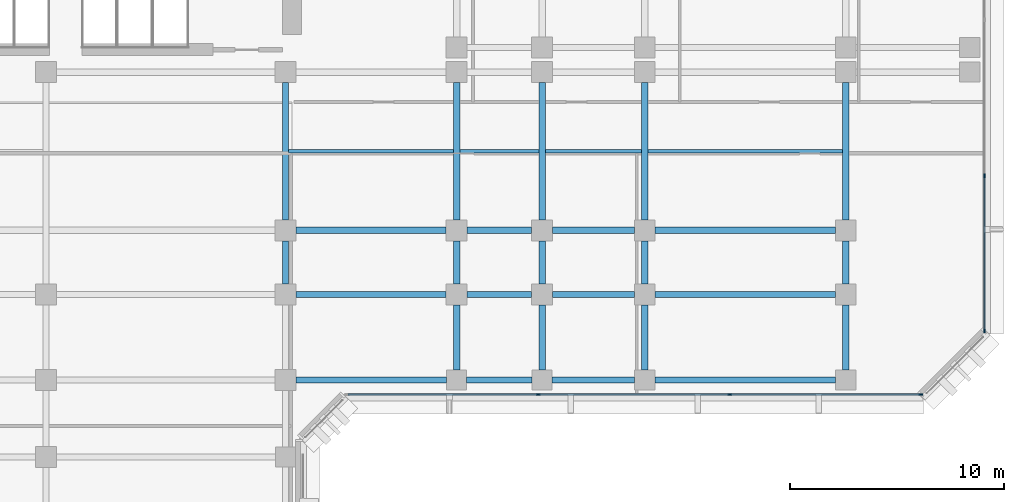
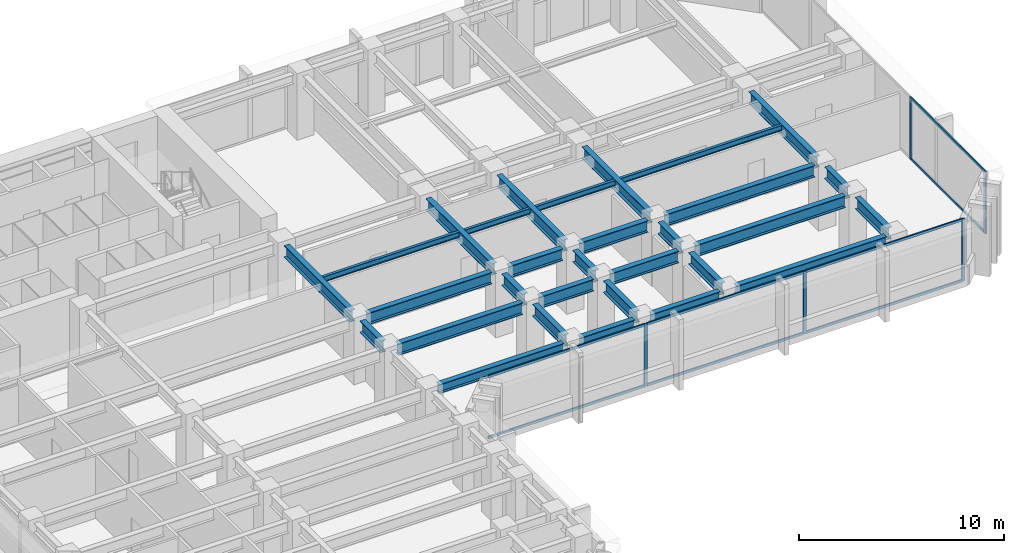
# One storey, part 3 of 14: 30 beams, 13 members, 2 elements without a shape of their own.
"""IFC4 building model written with IfcOpenShell, lengths in metres."""

from ifc_helpers import new_model, si_unit, direction, frame, origin, origin_2d, place, context, subcontext, project, spatial, rectangle, i_section, extrude, material, layer, layer_set, material_profile, profile_set, type_object, element, aggregate, save


model = new_model("IFC4")

# Units and contexts
model_context = context("Model", 3, precision=1e-05, world=origin(), true_north=direction((0.0, 1.0)))
body_context = subcontext(model_context, "Body", "Model", "MODEL_VIEW")
ifc_project = project(units=[si_unit("LENGTHUNIT", "METRE"), si_unit("AREAUNIT", "SQUARE_METRE"), si_unit("VOLUMEUNIT", "CUBIC_METRE"), si_unit("PLANEANGLEUNIT", "RADIAN"), si_unit("MASSUNIT", "GRAM", prefix="KILO")], contexts=[model_context])

# Site, building, storey
site_placement = place(None, origin())
site = spatial("IfcSite", under=ifc_project, at=site_placement, CompositionType="ELEMENT")
building_placement = place(site_placement, origin())
building = spatial("IfcBuilding", under=site, at=building_placement, Name="Kefirva Bronze Tower", CompositionType="ELEMENT")
storey_placement = place(building_placement, frame((0.0, 0.0, 42.239990234375)))
storey = spatial("IfcBuildingStorey", under=building, at=storey_placement, Name="L09", CompositionType="ELEMENT", Elevation=42.239990234375)

# Curtain wall, members
ifc_material_1 = material(Name="Bronze anodised aluminium", Category="aluminium")
ifc_layer = layer(ifc_material_1, 0.199951171875, Name="Bronze anodised aluminium")
ifc_layer_set = layer_set([ifc_layer], Name="Bronze anodised aluminium")
curtain_wall_type = type_object("IfcCurtainWallType", Name="Unitised Bronze Ribbon Curtain Wall Zone 1", PredefinedType="USERDEFINED", material=ifc_layer_set)
curtain_wall_1_placement = place(storey_placement, origin())
curtain_wall_1 = element("IfcCurtainWall", 1, at=curtain_wall_1_placement, inside=storey, type_object=curtain_wall_type, Name="L09 Curtain Wall 2", ObjectType="UNITISED CURTAIN WALL", PredefinedType="USERDEFINED")
ifc_material_profile_1 = material_profile(ifc_material_1, rectangle(XDim=0.074951171875, YDim=0.179931640625, at=origin_2d()), Name="ALU 75x180")
ifc_profile_set_1 = profile_set([ifc_material_profile_1], Name="Bronze anodised aluminium")
member_type_1 = type_object("IfcMemberType", Name="Bronze Mullion 75x180", PredefinedType="MULLION", material=ifc_profile_set_1)
member_1_placement = place(storey_placement, frame((35.018310546875, 18.1201171875, 0.0), z_axis=(0.0, 0.0, 1.0), x_axis=(0.0, 1.0, 0.0)))
member_1 = element("IfcMember", 2, at=member_1_placement, type_object=member_type_1, Name="CW-01 mullion 2", PredefinedType="MULLION", context=body_context, shape_type="SweptSolid", body=[
    extrude(rectangle(XDim=0.074951171875, YDim=0.179931640625, at=origin_2d()), origin(), (0.0, 0.0, 1.0), 3.7099609375),
])
member_2_placement = place(storey_placement, frame((43.981689453125, 18.1201171875, 0.0), z_axis=(0.0, 0.0, 1.0), x_axis=(0.0, 1.0, 0.0)))
member_2 = element("IfcMember", 3, at=member_2_placement, type_object=member_type_1, Name="CW-01 mullion 3", PredefinedType="MULLION", context=body_context, shape_type="SweptSolid", body=[
    extrude(rectangle(XDim=0.074951171875, YDim=0.179931640625, at=origin_2d()), origin(), (0.0, 0.0, 1.0), 3.7099609375),
])
member_3_placement = place(storey_placement, frame((52.907470703125, 18.1201171875, 0.0), z_axis=(0.0, 0.0, 1.0), x_axis=(0.0, 1.0, 0.0)))
member_3 = element("IfcMember", 4, at=member_3_placement, type_object=member_type_1, Name="CW-01 mullion 4", PredefinedType="MULLION", context=body_context, shape_type="SweptSolid", body=[
    extrude(rectangle(XDim=0.074951171875, YDim=0.179931640625, at=origin_2d()), origin(), (0.0, 0.0, 1.0), 3.7099609375),
])

curtain_wall_2_placement = place(storey_placement, origin())
curtain_wall_2 = element("IfcCurtainWall", 5, at=curtain_wall_2_placement, inside=storey, type_object=curtain_wall_type, Name="L09 Curtain Wall 3", ObjectType="UNITISED CURTAIN WALL", PredefinedType="USERDEFINED")
member_4_placement = place(storey_placement, frame((55.8798828125, 21.092529296875, 0.0), z_axis=(0.0, 0.0, 1.0), x_axis=(-1.0, 0.0, 0.0)))
member_4 = element("IfcMember", 6, at=member_4_placement, type_object=member_type_1, Name="CW-01 mullion 1", PredefinedType="MULLION", context=body_context, shape_type="SweptSolid", body=[
    extrude(rectangle(XDim=0.074951171875, YDim=0.179931640625, at=origin_2d()), origin(), (0.0, 0.0, 1.0), 3.7099609375),
])
member_5_placement = place(storey_placement, frame((55.8798828125, 28.3515625, 0.0), z_axis=(0.0, 0.0, 1.0), x_axis=(-1.0, 0.0, 0.0)))
member_5 = element("IfcMember", 7, at=member_5_placement, type_object=member_type_1, Name="CW-01 mullion 2", PredefinedType="MULLION", context=body_context, shape_type="SweptSolid", body=[
    extrude(rectangle(XDim=0.074951171875, YDim=0.179931640625, at=origin_2d()), origin(), (0.0, 0.0, 1.0), 3.7099609375),
])

# Member
ifc_material_profile_2 = material_profile(ifc_material_1, rectangle(XDim=0.074951171875, YDim=0.14990234375, at=origin_2d()), Name="ALU 75x150")
ifc_profile_set_2 = profile_set([ifc_material_profile_2], Name="Bronze anodised aluminium")
member_type_2 = type_object("IfcMemberType", Name="Bronze Transom 75x150", PredefinedType="USERDEFINED", material=ifc_profile_set_2)
member_6_placement = place(storey_placement, frame((26.1298828125, 18.1201171875, 0.03759765625), z_axis=(1.0, 0.0, 0.0), x_axis=(0.0, 1.0, 0.0)))
member_6 = element("IfcMember", 8, at=member_6_placement, type_object=member_type_2, Name="CW-01 transom 1.1", ObjectType="TRANSOM", PredefinedType="USERDEFINED", context=body_context, shape_type="SweptSolid", body=[
    extrude(rectangle(XDim=0.074951171875, YDim=0.14990234375, at=origin_2d()), origin(), (0.0, 0.0, 1.0), 8.850830078125),
])

member_7_placement = place(storey_placement, frame((26.1298828125, 18.1201171875, 3.672607421875), z_axis=(1.0, 0.0, 0.0), x_axis=(0.0, 1.0, 0.0)))
member_7 = element("IfcMember", 9, at=member_7_placement, type_object=member_type_2, Name="CW-01 transom 1.2", ObjectType="TRANSOM", PredefinedType="USERDEFINED", context=body_context, shape_type="SweptSolid", body=[
    extrude(rectangle(XDim=0.074951171875, YDim=0.14990234375, at=origin_2d()), origin(), (0.0, 0.0, 1.0), 8.850830078125),
])

member_8_placement = place(storey_placement, frame((35.055908203125, 18.1201171875, 0.03759765625), z_axis=(1.0, 0.0, 0.0), x_axis=(0.0, 1.0, 0.0)))
member_8 = element("IfcMember", 10, at=member_8_placement, type_object=member_type_2, Name="CW-01 transom 2.1", ObjectType="TRANSOM", PredefinedType="USERDEFINED", context=body_context, shape_type="SweptSolid", body=[
    extrude(rectangle(XDim=0.074951171875, YDim=0.14990234375, at=origin_2d()), origin(), (0.0, 0.0, 1.0), 8.88818359375),
])

member_9_placement = place(storey_placement, frame((35.055908203125, 18.1201171875, 3.672607421875), z_axis=(1.0, 0.0, 0.0), x_axis=(0.0, 1.0, 0.0)))
member_9 = element("IfcMember", 11, at=member_9_placement, type_object=member_type_2, Name="CW-01 transom 2.2", ObjectType="TRANSOM", PredefinedType="USERDEFINED", context=body_context, shape_type="SweptSolid", body=[
    extrude(rectangle(XDim=0.074951171875, YDim=0.14990234375, at=origin_2d()), origin(), (0.0, 0.0, 1.0), 8.88818359375),
])

member_10_placement = place(storey_placement, frame((44.019287109375, 18.1201171875, 0.03759765625), z_axis=(1.0, 0.0, 0.0), x_axis=(0.0, 1.0, 0.0)))
member_10 = element("IfcMember", 12, at=member_10_placement, type_object=member_type_2, Name="CW-01 transom 3.1", ObjectType="TRANSOM", PredefinedType="USERDEFINED", context=body_context, shape_type="SweptSolid", body=[
    extrude(rectangle(XDim=0.074951171875, YDim=0.14990234375, at=origin_2d()), origin(), (0.0, 0.0, 1.0), 8.850830078125),
])

member_11_placement = place(storey_placement, frame((44.019287109375, 18.1201171875, 3.672607421875), z_axis=(1.0, 0.0, 0.0), x_axis=(0.0, 1.0, 0.0)))
member_11 = element("IfcMember", 13, at=member_11_placement, type_object=member_type_2, Name="CW-01 transom 3.2", ObjectType="TRANSOM", PredefinedType="USERDEFINED", context=body_context, shape_type="SweptSolid", body=[
    extrude(rectangle(XDim=0.074951171875, YDim=0.14990234375, at=origin_2d()), origin(), (0.0, 0.0, 1.0), 8.850830078125),
])

aggregate(curtain_wall_1, [member_1, member_2, member_3, member_6, member_7, member_8, member_9, member_10, member_11])

member_12_placement = place(storey_placement, frame((55.8798828125, 21.1298828125, 0.03759765625), z_axis=(0.0, 1.0, 0.0), x_axis=(-1.0, 0.0, 0.0)))
member_12 = element("IfcMember", 14, at=member_12_placement, type_object=member_type_2, Name="CW-01 transom 1.1", ObjectType="TRANSOM", PredefinedType="USERDEFINED", context=body_context, shape_type="SweptSolid", body=[
    extrude(rectangle(XDim=0.074951171875, YDim=0.14990234375, at=origin_2d()), origin(), (0.0, 0.0, 1.0), 7.184326171875),
])

member_13_placement = place(storey_placement, frame((55.8798828125, 21.1298828125, 3.672607421875), z_axis=(0.0, 1.0, 0.0), x_axis=(-1.0, 0.0, 0.0)))
member_13 = element("IfcMember", 15, at=member_13_placement, type_object=member_type_2, Name="CW-01 transom 1.2", ObjectType="TRANSOM", PredefinedType="USERDEFINED", context=body_context, shape_type="SweptSolid", body=[
    extrude(rectangle(XDim=0.074951171875, YDim=0.14990234375, at=origin_2d()), origin(), (0.0, 0.0, 1.0), 7.184326171875),
])

aggregate(curtain_wall_2, [member_4, member_5, member_12, member_13])

# Beams
ifc_material_2 = material(Name="Steel S355", Category="steel")
ifc_material_profile_3 = material_profile(ifc_material_2, i_section(OverallWidth=0.159912109375, OverallDepth=0.330078125, WebThickness=0.007568359375, FlangeThickness=0.011474609375, at=origin_2d()), Name="IPE 330")
ifc_profile_set_3 = profile_set([ifc_material_profile_3], Name="Steel S355")
beam_type_1 = type_object("IfcBeamType", Name="Steel Floor Joist IPE 330", PredefinedType="JOIST", material=ifc_profile_set_3)
beam_1_placement = place(storey_placement, frame((23.35009765625, 29.5, 3.544921875), z_axis=(1.0, 0.0, 0.0), x_axis=(0.0, 1.0, 0.0)))
element("IfcBeam", 16, at=beam_1_placement, inside=storey, type_object=beam_type_1, Name="L09 JST-L09-23-295", PredefinedType="JOIST", context=body_context, shape_type="SweptSolid", body=[
    extrude(i_section(OverallWidth=0.159912109375, OverallDepth=0.330078125, WebThickness=0.007568359375, FlangeThickness=0.011474609375, at=origin_2d()), origin(), (0.0, 0.0, 1.0), 7.699951171875),
])
beam_2_placement = place(storey_placement, frame((31.35009765625, 29.5, 3.544921875), z_axis=(1.0, 0.0, 0.0), x_axis=(0.0, 1.0, 0.0)))
element("IfcBeam", 17, at=beam_2_placement, inside=storey, type_object=beam_type_1, Name="L09 JST-L09-31-295", PredefinedType="JOIST", context=body_context, shape_type="SweptSolid", body=[
    extrude(i_section(OverallWidth=0.159912109375, OverallDepth=0.330078125, WebThickness=0.007568359375, FlangeThickness=0.011474609375, at=origin_2d()), origin(), (0.0, 0.0, 1.0), 3.699951171875),
])
beam_3_placement = place(storey_placement, frame((35.35009765625, 29.5, 3.544921875), z_axis=(1.0, 0.0, 0.0), x_axis=(0.0, 1.0, 0.0)))
element("IfcBeam", 18, at=beam_3_placement, inside=storey, type_object=beam_type_1, Name="L09 JST-L09-35-295", PredefinedType="JOIST", context=body_context, shape_type="SweptSolid", body=[
    extrude(i_section(OverallWidth=0.159912109375, OverallDepth=0.330078125, WebThickness=0.007568359375, FlangeThickness=0.011474609375, at=origin_2d()), origin(), (0.0, 0.0, 1.0), 4.5),
])
beam_4_placement = place(storey_placement, frame((40.14990234375, 29.5, 3.544921875), z_axis=(1.0, 0.0, 0.0), x_axis=(0.0, 1.0, 0.0)))
element("IfcBeam", 19, at=beam_4_placement, inside=storey, type_object=beam_type_1, Name="L09 JST-L09-40-295", PredefinedType="JOIST", context=body_context, shape_type="SweptSolid", body=[
    extrude(i_section(OverallWidth=0.159912109375, OverallDepth=0.330078125, WebThickness=0.007568359375, FlangeThickness=0.011474609375, at=origin_2d()), origin(), (0.0, 0.0, 1.0), 9.10009765625),
])
ifc_material_profile_4 = material_profile(ifc_material_2, i_section(OverallWidth=0.300048828125, OverallDepth=0.699951171875, WebThickness=0.01708984375, FlangeThickness=0.031982421875, at=origin_2d()), Name="HEB 700")
ifc_profile_set_4 = profile_set([ifc_material_profile_4], Name="Steel S355")
beam_type_2 = type_object("IfcBeamType", Name="Steel Girder HEB 700", PredefinedType="USERDEFINED", material=ifc_profile_set_4)
beam_5_placement = place(storey_placement, frame((23.68994140625, 22.800048828125, 3.360107421875), z_axis=(1.0, 0.0, 0.0), x_axis=(0.0, 1.0, 0.0)))
element("IfcBeam", 20, at=beam_5_placement, inside=storey, type_object=beam_type_2, Name="L09 BM-L09-EW-23-228", ObjectType="GIRDER", PredefinedType="USERDEFINED", context=body_context, shape_type="SweptSolid", body=[
    extrude(i_section(OverallWidth=0.300048828125, OverallDepth=0.699951171875, WebThickness=0.01708984375, FlangeThickness=0.031982421875, at=origin_2d()), origin(), (0.0, 0.0, 1.0), 7.02001953125),
])
beam_6_placement = place(storey_placement, frame((31.68994140625, 22.800048828125, 3.360107421875), z_axis=(1.0, 0.0, 0.0), x_axis=(0.0, 1.0, 0.0)))
element("IfcBeam", 21, at=beam_6_placement, inside=storey, type_object=beam_type_2, Name="L09 BM-L09-EW-31-228", ObjectType="GIRDER", PredefinedType="USERDEFINED", context=body_context, shape_type="SweptSolid", body=[
    extrude(i_section(OverallWidth=0.300048828125, OverallDepth=0.699951171875, WebThickness=0.01708984375, FlangeThickness=0.031982421875, at=origin_2d()), origin(), (0.0, 0.0, 1.0), 3.02001953125),
])
beam_7_placement = place(storey_placement, frame((35.68994140625, 22.800048828125, 3.360107421875), z_axis=(1.0, 0.0, 0.0), x_axis=(0.0, 1.0, 0.0)))
element("IfcBeam", 22, at=beam_7_placement, inside=storey, type_object=beam_type_2, Name="L09 BM-L09-EW-35-228", ObjectType="GIRDER", PredefinedType="USERDEFINED", context=body_context, shape_type="SweptSolid", body=[
    extrude(i_section(OverallWidth=0.300048828125, OverallDepth=0.699951171875, WebThickness=0.01708984375, FlangeThickness=0.031982421875, at=origin_2d()), origin(), (0.0, 0.0, 1.0), 3.820068359375),
])
beam_8_placement = place(storey_placement, frame((40.489990234375, 22.800048828125, 3.360107421875), z_axis=(1.0, 0.0, 0.0), x_axis=(0.0, 1.0, 0.0)))
element("IfcBeam", 23, at=beam_8_placement, inside=storey, type_object=beam_type_2, Name="L09 BM-L09-EW-40-228", ObjectType="GIRDER", PredefinedType="USERDEFINED", context=body_context, shape_type="SweptSolid", body=[
    extrude(i_section(OverallWidth=0.300048828125, OverallDepth=0.699951171875, WebThickness=0.01708984375, FlangeThickness=0.031982421875, at=origin_2d()), origin(), (0.0, 0.0, 1.0), 8.419921875),
])
beam_9_placement = place(storey_placement, frame((23.68994140625, 25.800048828125, 3.360107421875), z_axis=(1.0, 0.0, 0.0), x_axis=(0.0, 1.0, 0.0)))
element("IfcBeam", 24, at=beam_9_placement, inside=storey, type_object=beam_type_2, Name="L09 BM-L09-EW-23-258", ObjectType="GIRDER", PredefinedType="USERDEFINED", context=body_context, shape_type="SweptSolid", body=[
    extrude(i_section(OverallWidth=0.300048828125, OverallDepth=0.699951171875, WebThickness=0.01708984375, FlangeThickness=0.031982421875, at=origin_2d()), origin(), (0.0, 0.0, 1.0), 7.02001953125),
])
beam_10_placement = place(storey_placement, frame((31.68994140625, 25.800048828125, 3.360107421875), z_axis=(1.0, 0.0, 0.0), x_axis=(0.0, 1.0, 0.0)))
element("IfcBeam", 25, at=beam_10_placement, inside=storey, type_object=beam_type_2, Name="L09 BM-L09-EW-31-258", ObjectType="GIRDER", PredefinedType="USERDEFINED", context=body_context, shape_type="SweptSolid", body=[
    extrude(i_section(OverallWidth=0.300048828125, OverallDepth=0.699951171875, WebThickness=0.01708984375, FlangeThickness=0.031982421875, at=origin_2d()), origin(), (0.0, 0.0, 1.0), 3.02001953125),
])
beam_11_placement = place(storey_placement, frame((35.68994140625, 25.800048828125, 3.360107421875), z_axis=(1.0, 0.0, 0.0), x_axis=(0.0, 1.0, 0.0)))
element("IfcBeam", 26, at=beam_11_placement, inside=storey, type_object=beam_type_2, Name="L09 BM-L09-EW-35-258", ObjectType="GIRDER", PredefinedType="USERDEFINED", context=body_context, shape_type="SweptSolid", body=[
    extrude(i_section(OverallWidth=0.300048828125, OverallDepth=0.699951171875, WebThickness=0.01708984375, FlangeThickness=0.031982421875, at=origin_2d()), origin(), (0.0, 0.0, 1.0), 3.820068359375),
])
beam_12_placement = place(storey_placement, frame((40.489990234375, 25.800048828125, 3.360107421875), z_axis=(1.0, 0.0, 0.0), x_axis=(0.0, 1.0, 0.0)))
element("IfcBeam", 27, at=beam_12_placement, inside=storey, type_object=beam_type_2, Name="L09 BM-L09-EW-40-258", ObjectType="GIRDER", PredefinedType="USERDEFINED", context=body_context, shape_type="SweptSolid", body=[
    extrude(i_section(OverallWidth=0.300048828125, OverallDepth=0.699951171875, WebThickness=0.01708984375, FlangeThickness=0.031982421875, at=origin_2d()), origin(), (0.0, 0.0, 1.0), 8.419921875),
])
beam_13_placement = place(storey_placement, frame((23.199951171875, 23.2900390625, 3.360107421875), z_axis=(0.0, 1.0, 0.0), x_axis=(-1.0, 0.0, 0.0)))
element("IfcBeam", 28, at=beam_13_placement, inside=storey, type_object=beam_type_2, Name="L09 BM-L09-NS-232-22", ObjectType="GIRDER", PredefinedType="USERDEFINED", context=body_context, shape_type="SweptSolid", body=[
    extrude(i_section(OverallWidth=0.300048828125, OverallDepth=0.699951171875, WebThickness=0.01708984375, FlangeThickness=0.031982421875, at=origin_2d()), origin(), (0.0, 0.0, 1.0), 2.02001953125),
])
beam_14_placement = place(storey_placement, frame((23.199951171875, 26.2900390625, 3.360107421875), z_axis=(0.0, 1.0, 0.0), x_axis=(-1.0, 0.0, 0.0)))
element("IfcBeam", 29, at=beam_14_placement, inside=storey, type_object=beam_type_2, Name="L09 BM-L09-NS-232-25", ObjectType="GIRDER", PredefinedType="USERDEFINED", context=body_context, shape_type="SweptSolid", body=[
    extrude(i_section(OverallWidth=0.300048828125, OverallDepth=0.699951171875, WebThickness=0.01708984375, FlangeThickness=0.031982421875, at=origin_2d()), origin(), (0.0, 0.0, 1.0), 6.419921875),
])
beam_15_placement = place(storey_placement, frame((31.199951171875, 19.27001953125, 3.360107421875), z_axis=(0.0, 1.0, 0.0), x_axis=(-1.0, 0.0, 0.0)))
element("IfcBeam", 30, at=beam_15_placement, inside=storey, type_object=beam_type_2, Name="L09 BM-L09-NS-312-18", ObjectType="GIRDER", PredefinedType="USERDEFINED", context=body_context, shape_type="SweptSolid", body=[
    extrude(i_section(OverallWidth=0.300048828125, OverallDepth=0.699951171875, WebThickness=0.01708984375, FlangeThickness=0.031982421875, at=origin_2d()), origin(), (0.0, 0.0, 1.0), 3.0400390625),
])
beam_16_placement = place(storey_placement, frame((31.199951171875, 23.2900390625, 3.360107421875), z_axis=(0.0, 1.0, 0.0), x_axis=(-1.0, 0.0, 0.0)))
element("IfcBeam", 31, at=beam_16_placement, inside=storey, type_object=beam_type_2, Name="L09 BM-L09-NS-312-22", ObjectType="GIRDER", PredefinedType="USERDEFINED", context=body_context, shape_type="SweptSolid", body=[
    extrude(i_section(OverallWidth=0.300048828125, OverallDepth=0.699951171875, WebThickness=0.01708984375, FlangeThickness=0.031982421875, at=origin_2d()), origin(), (0.0, 0.0, 1.0), 2.02001953125),
])
beam_17_placement = place(storey_placement, frame((31.199951171875, 26.2900390625, 3.360107421875), z_axis=(0.0, 1.0, 0.0), x_axis=(-1.0, 0.0, 0.0)))
element("IfcBeam", 32, at=beam_17_placement, inside=storey, type_object=beam_type_2, Name="L09 BM-L09-NS-312-25", ObjectType="GIRDER", PredefinedType="USERDEFINED", context=body_context, shape_type="SweptSolid", body=[
    extrude(i_section(OverallWidth=0.300048828125, OverallDepth=0.699951171875, WebThickness=0.01708984375, FlangeThickness=0.031982421875, at=origin_2d()), origin(), (0.0, 0.0, 1.0), 6.419921875),
])
beam_18_placement = place(storey_placement, frame((35.199951171875, 19.27001953125, 3.360107421875), z_axis=(0.0, 1.0, 0.0), x_axis=(-1.0, 0.0, 0.0)))
element("IfcBeam", 33, at=beam_18_placement, inside=storey, type_object=beam_type_2, Name="L09 BM-L09-NS-352-18", ObjectType="GIRDER", PredefinedType="USERDEFINED", context=body_context, shape_type="SweptSolid", body=[
    extrude(i_section(OverallWidth=0.300048828125, OverallDepth=0.699951171875, WebThickness=0.01708984375, FlangeThickness=0.031982421875, at=origin_2d()), origin(), (0.0, 0.0, 1.0), 3.0400390625),
])
beam_19_placement = place(storey_placement, frame((35.199951171875, 23.2900390625, 3.360107421875), z_axis=(0.0, 1.0, 0.0), x_axis=(-1.0, 0.0, 0.0)))
element("IfcBeam", 34, at=beam_19_placement, inside=storey, type_object=beam_type_2, Name="L09 BM-L09-NS-352-22", ObjectType="GIRDER", PredefinedType="USERDEFINED", context=body_context, shape_type="SweptSolid", body=[
    extrude(i_section(OverallWidth=0.300048828125, OverallDepth=0.699951171875, WebThickness=0.01708984375, FlangeThickness=0.031982421875, at=origin_2d()), origin(), (0.0, 0.0, 1.0), 2.02001953125),
])
beam_20_placement = place(storey_placement, frame((35.199951171875, 26.2900390625, 3.360107421875), z_axis=(0.0, 1.0, 0.0), x_axis=(-1.0, 0.0, 0.0)))
element("IfcBeam", 35, at=beam_20_placement, inside=storey, type_object=beam_type_2, Name="L09 BM-L09-NS-352-25", ObjectType="GIRDER", PredefinedType="USERDEFINED", context=body_context, shape_type="SweptSolid", body=[
    extrude(i_section(OverallWidth=0.300048828125, OverallDepth=0.699951171875, WebThickness=0.01708984375, FlangeThickness=0.031982421875, at=origin_2d()), origin(), (0.0, 0.0, 1.0), 6.419921875),
])
beam_21_placement = place(storey_placement, frame((40.0, 19.27001953125, 3.360107421875), z_axis=(0.0, 1.0, 0.0), x_axis=(-1.0, 0.0, 0.0)))
element("IfcBeam", 36, at=beam_21_placement, inside=storey, type_object=beam_type_2, Name="L09 BM-L09-NS-400-18", ObjectType="GIRDER", PredefinedType="USERDEFINED", context=body_context, shape_type="SweptSolid", body=[
    extrude(i_section(OverallWidth=0.300048828125, OverallDepth=0.699951171875, WebThickness=0.01708984375, FlangeThickness=0.031982421875, at=origin_2d()), origin(), (0.0, 0.0, 1.0), 3.0400390625),
])
beam_22_placement = place(storey_placement, frame((40.0, 23.2900390625, 3.360107421875), z_axis=(0.0, 1.0, 0.0), x_axis=(-1.0, 0.0, 0.0)))
element("IfcBeam", 37, at=beam_22_placement, inside=storey, type_object=beam_type_2, Name="L09 BM-L09-NS-400-22", ObjectType="GIRDER", PredefinedType="USERDEFINED", context=body_context, shape_type="SweptSolid", body=[
    extrude(i_section(OverallWidth=0.300048828125, OverallDepth=0.699951171875, WebThickness=0.01708984375, FlangeThickness=0.031982421875, at=origin_2d()), origin(), (0.0, 0.0, 1.0), 2.02001953125),
])
beam_23_placement = place(storey_placement, frame((40.0, 26.2900390625, 3.360107421875), z_axis=(0.0, 1.0, 0.0), x_axis=(-1.0, 0.0, 0.0)))
element("IfcBeam", 38, at=beam_23_placement, inside=storey, type_object=beam_type_2, Name="L09 BM-L09-NS-400-25", ObjectType="GIRDER", PredefinedType="USERDEFINED", context=body_context, shape_type="SweptSolid", body=[
    extrude(i_section(OverallWidth=0.300048828125, OverallDepth=0.699951171875, WebThickness=0.01708984375, FlangeThickness=0.031982421875, at=origin_2d()), origin(), (0.0, 0.0, 1.0), 6.419921875),
])
beam_24_placement = place(storey_placement, frame((49.39990234375, 19.27001953125, 3.360107421875), z_axis=(0.0, 1.0, 0.0), x_axis=(-1.0, 0.0, 0.0)))
element("IfcBeam", 39, at=beam_24_placement, inside=storey, type_object=beam_type_2, Name="L09 BM-L09-NS-494-18", ObjectType="GIRDER", PredefinedType="USERDEFINED", context=body_context, shape_type="SweptSolid", body=[
    extrude(i_section(OverallWidth=0.300048828125, OverallDepth=0.699951171875, WebThickness=0.01708984375, FlangeThickness=0.031982421875, at=origin_2d()), origin(), (0.0, 0.0, 1.0), 3.0400390625),
])
beam_25_placement = place(storey_placement, frame((49.39990234375, 23.2900390625, 3.360107421875), z_axis=(0.0, 1.0, 0.0), x_axis=(-1.0, 0.0, 0.0)))
element("IfcBeam", 40, at=beam_25_placement, inside=storey, type_object=beam_type_2, Name="L09 BM-L09-NS-494-22", ObjectType="GIRDER", PredefinedType="USERDEFINED", context=body_context, shape_type="SweptSolid", body=[
    extrude(i_section(OverallWidth=0.300048828125, OverallDepth=0.699951171875, WebThickness=0.01708984375, FlangeThickness=0.031982421875, at=origin_2d()), origin(), (0.0, 0.0, 1.0), 2.02001953125),
])
beam_26_placement = place(storey_placement, frame((49.39990234375, 26.2900390625, 3.360107421875), z_axis=(0.0, 1.0, 0.0), x_axis=(-1.0, 0.0, 0.0)))
element("IfcBeam", 41, at=beam_26_placement, inside=storey, type_object=beam_type_2, Name="L09 BM-L09-NS-494-25", ObjectType="GIRDER", PredefinedType="USERDEFINED", context=body_context, shape_type="SweptSolid", body=[
    extrude(i_section(OverallWidth=0.300048828125, OverallDepth=0.699951171875, WebThickness=0.01708984375, FlangeThickness=0.031982421875, at=origin_2d()), origin(), (0.0, 0.0, 1.0), 6.419921875),
])
ifc_material_profile_5 = material_profile(ifc_material_2, i_section(OverallWidth=0.300048828125, OverallDepth=0.550048828125, WebThickness=0.014892578125, FlangeThickness=0.029052734375, at=origin_2d()), Name="HEB 550")
ifc_profile_set_5 = profile_set([ifc_material_profile_5], Name="Steel S355")
beam_type_3 = type_object("IfcBeamType", Name="Steel Spandrel HEB 550 Ext", PredefinedType="SPANDREL", material=ifc_profile_set_5)
beam_27_placement = place(storey_placement, frame((23.68994140625, 18.800048828125, 3.43505859375), z_axis=(1.0, 0.0, 0.0), x_axis=(0.0, 1.0, 0.0)))
element("IfcBeam", 42, at=beam_27_placement, inside=storey, type_object=beam_type_3, Name="L09 BM-L09-EW-23-188", PredefinedType="SPANDREL", context=body_context, shape_type="SweptSolid", body=[
    extrude(i_section(OverallWidth=0.300048828125, OverallDepth=0.550048828125, WebThickness=0.014892578125, FlangeThickness=0.029052734375, at=origin_2d()), origin(), (0.0, 0.0, 1.0), 7.0400390625),
])
beam_28_placement = place(storey_placement, frame((31.669921875, 18.800048828125, 3.43505859375), z_axis=(1.0, 0.0, 0.0), x_axis=(0.0, 1.0, 0.0)))
element("IfcBeam", 43, at=beam_28_placement, inside=storey, type_object=beam_type_3, Name="L09 BM-L09-EW-31-188", PredefinedType="SPANDREL", context=body_context, shape_type="SweptSolid", body=[
    extrude(i_section(OverallWidth=0.300048828125, OverallDepth=0.550048828125, WebThickness=0.014892578125, FlangeThickness=0.029052734375, at=origin_2d()), origin(), (0.0, 0.0, 1.0), 3.06005859375),
])
beam_29_placement = place(storey_placement, frame((35.669921875, 18.800048828125, 3.43505859375), z_axis=(1.0, 0.0, 0.0), x_axis=(0.0, 1.0, 0.0)))
element("IfcBeam", 44, at=beam_29_placement, inside=storey, type_object=beam_type_3, Name="L09 BM-L09-EW-35-188", PredefinedType="SPANDREL", context=body_context, shape_type="SweptSolid", body=[
    extrude(i_section(OverallWidth=0.300048828125, OverallDepth=0.550048828125, WebThickness=0.014892578125, FlangeThickness=0.029052734375, at=origin_2d()), origin(), (0.0, 0.0, 1.0), 3.860107421875),
])
beam_30_placement = place(storey_placement, frame((40.469970703125, 18.800048828125, 3.43505859375), z_axis=(1.0, 0.0, 0.0), x_axis=(0.0, 1.0, 0.0)))
element("IfcBeam", 45, at=beam_30_placement, inside=storey, type_object=beam_type_3, Name="L09 BM-L09-EW-40-188", PredefinedType="SPANDREL", context=body_context, shape_type="SweptSolid", body=[
    extrude(i_section(OverallWidth=0.300048828125, OverallDepth=0.550048828125, WebThickness=0.014892578125, FlangeThickness=0.029052734375, at=origin_2d()), origin(), (0.0, 0.0, 1.0), 8.4599609375),
])

save(model, "model.ifc")
